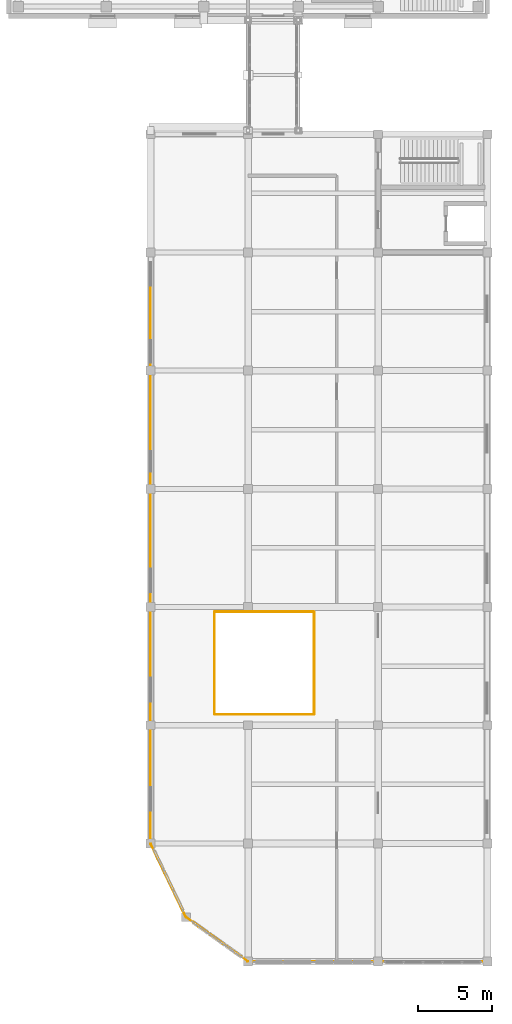
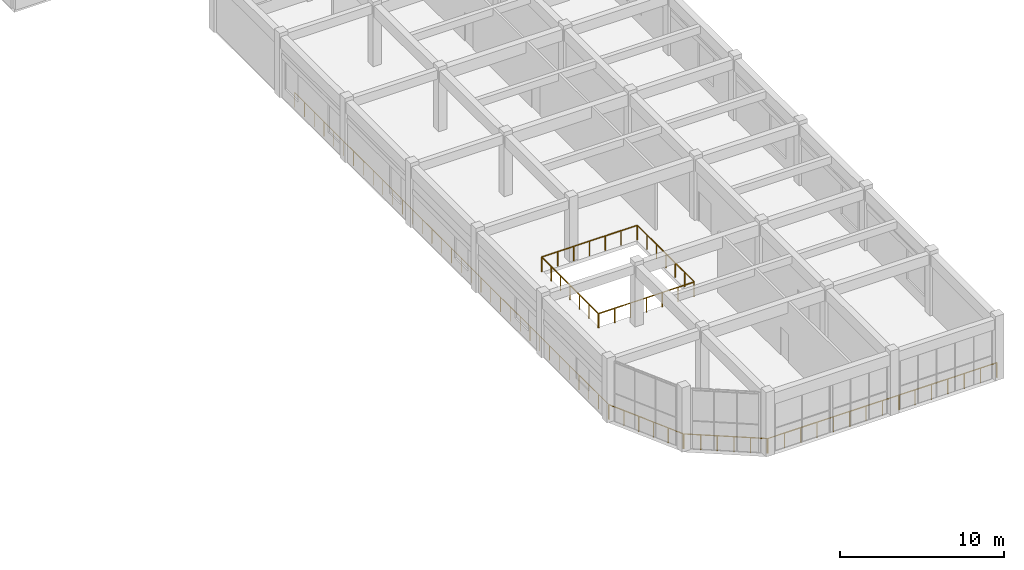
# One storey, part 60 of 64: 8 railings.
"""IFC4 building model written with IfcOpenShell, lengths in metres."""

from ifc_helpers import new_model, si_unit, direction, frame, origin, origin_2d, place, context, subcontext, project, spatial, circle, extrude, material, type_object, element, save


model = new_model("IFC4")

# Units and contexts
model_context = context("Model", 3, precision=1e-05, world=origin(), true_north=direction((0.0, 1.0)))
body_context = subcontext(model_context, "Body", "Model", "MODEL_VIEW")
ifc_project = project(units=[si_unit("LENGTHUNIT", "METRE"), si_unit("AREAUNIT", "SQUARE_METRE"), si_unit("VOLUMEUNIT", "CUBIC_METRE"), si_unit("PLANEANGLEUNIT", "RADIAN"), si_unit("MASSUNIT", "GRAM", prefix="KILO")], contexts=[model_context])

# Site, building, storey
site_placement = place(None, origin())
site = spatial("IfcSite", under=ifc_project, at=site_placement, CompositionType="ELEMENT")
building_placement = place(site_placement, origin())
building = spatial("IfcBuilding", under=site, at=building_placement, Name="Cinchona Park Media Centre", CompositionType="ELEMENT")
storey_placement = place(building_placement, frame((0.0, 0.0, 5.39990234375)))
storey = spatial("IfcBuildingStorey", under=building, at=storey_placement, Name="L01", CompositionType="ELEMENT", Elevation=5.39990234375)

# Railings
ifc_material = material(Name="Galvanised Painted Steel Balustrade", Category="steel")
railing_type = type_object("IfcRailingType", Name="RAILING-GR01", PredefinedType="BALUSTRADE", material=ifc_material)
railing_1_placement = place(storey_placement, frame((153.552001953125, 24.320068359375, 0.0)))
element("IfcRailing", 1, at=railing_1_placement, inside=storey, type_object=railing_type, Name="Atrium Balustrade GR01 VOID-L01-ATRIUM S1", PredefinedType="BALUSTRADE", context=body_context, shape_type="SweptSolid", body=[
    extrude(circle(Radius=0.02392578125, at=origin_2d()), frame((0.0, 0.0, 1.076171875), z_axis=(1.0, 0.0, 0.0), x_axis=(0.0, 1.0, 0.0)), (0.0, 0.0, 1.0), 6.696044921875),
    extrude(circle(Radius=0.02099609375, at=origin_2d()), origin(), (0.0, 0.0, 1.0), 1.052001953125),
    extrude(circle(Radius=0.02099609375, at=origin_2d()), frame((1.115966796875, 0.0, 0.0)), (0.0, 0.0, 1.0), 1.052001953125),
    extrude(circle(Radius=0.02099609375, at=origin_2d()), frame((2.23193359375, 0.0, 0.0)), (0.0, 0.0, 1.0), 1.052001953125),
    extrude(circle(Radius=0.02099609375, at=origin_2d()), frame((3.34814453125, 0.0, 0.0)), (0.0, 0.0, 1.0), 1.052001953125),
    extrude(circle(Radius=0.02099609375, at=origin_2d()), frame((4.464111328125, 0.0, 0.0)), (0.0, 0.0, 1.0), 1.052001953125),
    extrude(circle(Radius=0.02099609375, at=origin_2d()), frame((5.580078125, 0.0, 0.0)), (0.0, 0.0, 1.0), 1.052001953125),
    extrude(circle(Radius=0.02099609375, at=origin_2d()), frame((6.696044921875, 0.0, 0.0)), (0.0, 0.0, 1.0), 1.052001953125),
])
railing_2_placement = place(storey_placement, frame((160.280029296875, 24.35205078125, 0.0)))
element("IfcRailing", 2, at=railing_2_placement, inside=storey, type_object=railing_type, Name="Atrium Balustrade GR01 VOID-L01-ATRIUM S2", PredefinedType="BALUSTRADE", context=body_context, shape_type="SweptSolid", body=[
    extrude(circle(Radius=0.02392578125, at=origin_2d()), frame((0.0, 0.0, 1.076171875), z_axis=(0.0, 1.0, 0.0), x_axis=(-1.0, 0.0, 0.0)), (0.0, 0.0, 1.0), 6.89599609375),
    extrude(circle(Radius=0.02099609375, at=origin_2d()), origin(), (0.0, 0.0, 1.0), 1.052001953125),
    extrude(circle(Radius=0.02099609375, at=origin_2d()), frame((0.0, 1.1494140625, 0.0)), (0.0, 0.0, 1.0), 1.052001953125),
    extrude(circle(Radius=0.02099609375, at=origin_2d()), frame((0.0, 2.298583984375, 0.0)), (0.0, 0.0, 1.0), 1.052001953125),
    extrude(circle(Radius=0.02099609375, at=origin_2d()), frame((0.0, 3.447998046875, 0.0)), (0.0, 0.0, 1.0), 1.052001953125),
    extrude(circle(Radius=0.02099609375, at=origin_2d()), frame((0.0, 4.597412109375, 0.0)), (0.0, 0.0, 1.0), 1.052001953125),
    extrude(circle(Radius=0.02099609375, at=origin_2d()), frame((0.0, 5.74658203125, 0.0)), (0.0, 0.0, 1.0), 1.052001953125),
    extrude(circle(Radius=0.02099609375, at=origin_2d()), frame((0.0, 6.89599609375, 0.0)), (0.0, 0.0, 1.0), 1.052001953125),
])
railing_3_placement = place(storey_placement, frame((160.248046875, 31.280029296875, 0.0)))
element("IfcRailing", 3, at=railing_3_placement, inside=storey, type_object=railing_type, Name="Atrium Balustrade GR01 VOID-L01-ATRIUM S3", PredefinedType="BALUSTRADE", context=body_context, shape_type="SweptSolid", body=[
    extrude(circle(Radius=0.02392578125, at=origin_2d()), frame((0.0, 0.0, 1.076171875), z_axis=(-1.0, 0.0, 0.0), x_axis=(0.0, -1.0, 0.0)), (0.0, 0.0, 1.0), 6.696044921875),
    extrude(circle(Radius=0.02099609375, at=origin_2d()), origin(), (0.0, 0.0, 1.0), 1.052001953125),
    extrude(circle(Radius=0.02099609375, at=origin_2d()), frame((-1.115966796875, 0.0, 0.0)), (0.0, 0.0, 1.0), 1.052001953125),
    extrude(circle(Radius=0.02099609375, at=origin_2d()), frame((-2.23193359375, 0.0, 0.0)), (0.0, 0.0, 1.0), 1.052001953125),
    extrude(circle(Radius=0.02099609375, at=origin_2d()), frame((-3.34814453125, 0.0, 0.0)), (0.0, 0.0, 1.0), 1.052001953125),
    extrude(circle(Radius=0.02099609375, at=origin_2d()), frame((-4.464111328125, 0.0, 0.0)), (0.0, 0.0, 1.0), 1.052001953125),
    extrude(circle(Radius=0.02099609375, at=origin_2d()), frame((-5.580078125, 0.0, 0.0)), (0.0, 0.0, 1.0), 1.052001953125),
    extrude(circle(Radius=0.02099609375, at=origin_2d()), frame((-6.696044921875, 0.0, 0.0)), (0.0, 0.0, 1.0), 1.052001953125),
])
railing_4_placement = place(storey_placement, frame((153.52001953125, 31.248046875, 0.0)))
element("IfcRailing", 4, at=railing_4_placement, inside=storey, type_object=railing_type, Name="Atrium Balustrade GR01 VOID-L01-ATRIUM S4", PredefinedType="BALUSTRADE", context=body_context, shape_type="SweptSolid", body=[
    extrude(circle(Radius=0.02392578125, at=origin_2d()), frame((0.0, 0.0, 1.076171875), z_axis=(0.0, -1.0, 0.0), x_axis=(1.0, 0.0, 0.0)), (0.0, 0.0, 1.0), 6.89599609375),
    extrude(circle(Radius=0.02099609375, at=origin_2d()), origin(), (0.0, 0.0, 1.0), 1.052001953125),
    extrude(circle(Radius=0.02099609375, at=origin_2d()), frame((0.0, -1.1494140625, 0.0)), (0.0, 0.0, 1.0), 1.052001953125),
    extrude(circle(Radius=0.02099609375, at=origin_2d()), frame((0.0, -2.298583984375, 0.0)), (0.0, 0.0, 1.0), 1.052001953125),
    extrude(circle(Radius=0.02099609375, at=origin_2d()), frame((0.0, -3.447998046875, 0.0)), (0.0, 0.0, 1.0), 1.052001953125),
    extrude(circle(Radius=0.02099609375, at=origin_2d()), frame((0.0, -4.597412109375, 0.0)), (0.0, 0.0, 1.0), 1.052001953125),
    extrude(circle(Radius=0.02099609375, at=origin_2d()), frame((0.0, -5.74658203125, 0.0)), (0.0, 0.0, 1.0), 1.052001953125),
    extrude(circle(Radius=0.02099609375, at=origin_2d()), frame((0.0, -6.89599609375, 0.0)), (0.0, 0.0, 1.0), 1.052001953125),
])
railing_5_placement = place(storey_placement, frame((149.199951171875, 53.968017578125, 0.0)))
element("IfcRailing", 5, at=railing_5_placement, inside=storey, type_object=railing_type, Name="Glazed Prow Perimeter Guardrail GR01 L01 S1", PredefinedType="BALUSTRADE", context=body_context, shape_type="SweptSolid", body=[
    extrude(circle(Radius=0.02392578125, at=origin_2d()), frame((0.0, 0.0, 1.09619140625), z_axis=(0.0, -1.0, 0.0), x_axis=(1.0, 0.0, 0.0)), (0.0, 0.0, 1.0), 38.3359375),
    extrude(circle(Radius=0.02099609375, at=origin_2d()), origin(), (0.0, 0.0, 1.0), 1.072021484375),
    extrude(circle(Radius=0.02099609375, at=origin_2d()), frame((0.0, -1.197998046875, 0.0)), (0.0, 0.0, 1.0), 1.072021484375),
    extrude(circle(Radius=0.02099609375, at=origin_2d()), frame((0.0, -2.39599609375, 0.0)), (0.0, 0.0, 1.0), 1.072021484375),
    extrude(circle(Radius=0.02099609375, at=origin_2d()), frame((0.0, -3.593994140625, 0.0)), (0.0, 0.0, 1.0), 1.072021484375),
    extrude(circle(Radius=0.02099609375, at=origin_2d()), frame((0.0, -4.7919921875, 0.0)), (0.0, 0.0, 1.0), 1.072021484375),
    extrude(circle(Radius=0.02099609375, at=origin_2d()), frame((0.0, -5.989990234375, 0.0)), (0.0, 0.0, 1.0), 1.072021484375),
    extrude(circle(Radius=0.02099609375, at=origin_2d()), frame((0.0, -7.18798828125, 0.0)), (0.0, 0.0, 1.0), 1.072021484375),
    extrude(circle(Radius=0.02099609375, at=origin_2d()), frame((0.0, -8.385986328125, 0.0)), (0.0, 0.0, 1.0), 1.072021484375),
    extrude(circle(Radius=0.02099609375, at=origin_2d()), frame((0.0, -9.583984375, 0.0)), (0.0, 0.0, 1.0), 1.072021484375),
    extrude(circle(Radius=0.02099609375, at=origin_2d()), frame((0.0, -10.781982421875, 0.0)), (0.0, 0.0, 1.0), 1.072021484375),
    extrude(circle(Radius=0.02099609375, at=origin_2d()), frame((0.0, -11.97998046875, 0.0)), (0.0, 0.0, 1.0), 1.072021484375),
    extrude(circle(Radius=0.02099609375, at=origin_2d()), frame((0.0, -13.177978515625, 0.0)), (0.0, 0.0, 1.0), 1.072021484375),
    extrude(circle(Radius=0.02099609375, at=origin_2d()), frame((0.0, -14.3759765625, 0.0)), (0.0, 0.0, 1.0), 1.072021484375),
    extrude(circle(Radius=0.02099609375, at=origin_2d()), frame((0.0, -15.573974609375, 0.0)), (0.0, 0.0, 1.0), 1.072021484375),
    extrude(circle(Radius=0.02099609375, at=origin_2d()), frame((0.0, -16.77197265625, 0.0)), (0.0, 0.0, 1.0), 1.072021484375),
    extrude(circle(Radius=0.02099609375, at=origin_2d()), frame((0.0, -17.969970703125, 0.0)), (0.0, 0.0, 1.0), 1.072021484375),
    extrude(circle(Radius=0.02099609375, at=origin_2d()), frame((0.0, -19.16796875, 0.0)), (0.0, 0.0, 1.0), 1.072021484375),
    extrude(circle(Radius=0.02099609375, at=origin_2d()), frame((0.0, -20.365966796875, 0.0)), (0.0, 0.0, 1.0), 1.072021484375),
    extrude(circle(Radius=0.02099609375, at=origin_2d()), frame((0.0, -21.56396484375, 0.0)), (0.0, 0.0, 1.0), 1.072021484375),
    extrude(circle(Radius=0.02099609375, at=origin_2d()), frame((0.0, -22.761962890625, 0.0)), (0.0, 0.0, 1.0), 1.072021484375),
    extrude(circle(Radius=0.02099609375, at=origin_2d()), frame((0.0, -23.9599609375, 0.0)), (0.0, 0.0, 1.0), 1.072021484375),
    extrude(circle(Radius=0.02099609375, at=origin_2d()), frame((0.0, -25.157958984375, 0.0)), (0.0, 0.0, 1.0), 1.072021484375),
    extrude(circle(Radius=0.02099609375, at=origin_2d()), frame((0.0, -26.35595703125, 0.0)), (0.0, 0.0, 1.0), 1.072021484375),
    extrude(circle(Radius=0.02099609375, at=origin_2d()), frame((0.0, -27.553955078125, 0.0)), (0.0, 0.0, 1.0), 1.072021484375),
    extrude(circle(Radius=0.02099609375, at=origin_2d()), frame((0.0, -28.751953125, 0.0)), (0.0, 0.0, 1.0), 1.072021484375),
    extrude(circle(Radius=0.02099609375, at=origin_2d()), frame((0.0, -29.949951171875, 0.0)), (0.0, 0.0, 1.0), 1.072021484375),
    extrude(circle(Radius=0.02099609375, at=origin_2d()), frame((0.0, -31.14794921875, 0.0)), (0.0, 0.0, 1.0), 1.072021484375),
    extrude(circle(Radius=0.02099609375, at=origin_2d()), frame((0.0, -32.345947265625, 0.0)), (0.0, 0.0, 1.0), 1.072021484375),
    extrude(circle(Radius=0.02099609375, at=origin_2d()), frame((0.0, -33.5439453125, 0.0)), (0.0, 0.0, 1.0), 1.072021484375),
    extrude(circle(Radius=0.02099609375, at=origin_2d()), frame((0.0, -34.741943359375, 0.0)), (0.0, 0.0, 1.0), 1.072021484375),
    extrude(circle(Radius=0.02099609375, at=origin_2d()), frame((0.0, -35.93994140625, 0.0)), (0.0, 0.0, 1.0), 1.072021484375),
    extrude(circle(Radius=0.02099609375, at=origin_2d()), frame((0.0, -37.137939453125, 0.0)), (0.0, 0.0, 1.0), 1.072021484375),
    extrude(circle(Radius=0.02099609375, at=origin_2d()), frame((0.0, -38.3359375, 0.0)), (0.0, 0.0, 1.0), 1.072021484375),
])
railing_6_placement = place(storey_placement, frame((149.214111328125, 15.571044921875, 0.0)))
element("IfcRailing", 6, at=railing_6_placement, inside=storey, type_object=railing_type, Name="Glazed Prow Perimeter Guardrail GR01 L01 S2", PredefinedType="BALUSTRADE", context=body_context, shape_type="SweptSolid", body=[
    extrude(circle(Radius=0.02392578125, at=origin_2d()), frame((0.0, 0.0, 1.09619140625), z_axis=(0.432671704006, -0.901551549582, 0.0), x_axis=(0.901551549582, 0.432671704006, 0.0)), (0.0, 0.0, 1.0), 5.48193359375),
    extrude(circle(Radius=0.02099609375, at=origin_2d()), origin(), (0.0, 0.0, 1.0), 1.072021484375),
    extrude(circle(Radius=0.02099609375, at=origin_2d()), frame((0.474365234375, -0.988525390625, 0.0)), (0.0, 0.0, 1.0), 1.072021484375),
    extrude(circle(Radius=0.02099609375, at=origin_2d()), frame((0.94873046875, -1.976806640625, 0.0)), (0.0, 0.0, 1.0), 1.072021484375),
    extrude(circle(Radius=0.02099609375, at=origin_2d()), frame((1.423095703125, -2.96533203125, 0.0)), (0.0, 0.0, 1.0), 1.072021484375),
    extrude(circle(Radius=0.02099609375, at=origin_2d()), frame((1.8974609375, -3.95361328125, 0.0)), (0.0, 0.0, 1.0), 1.072021484375),
    extrude(circle(Radius=0.02099609375, at=origin_2d()), frame((2.371826171875, -4.942138671875, 0.0)), (0.0, 0.0, 1.0), 1.072021484375),
])
railing_7_placement = place(storey_placement, frame((151.6259765625, 10.5810546875, 0.0)))
element("IfcRailing", 7, at=railing_7_placement, inside=storey, type_object=railing_type, Name="Glazed Prow Perimeter Guardrail GR01 L01 S3", PredefinedType="BALUSTRADE", context=body_context, shape_type="SweptSolid", body=[
    extrude(circle(Radius=0.02392578125, at=origin_2d()), frame((0.0, 0.0, 1.09619140625), z_axis=(0.813794957928, -0.581152102681, 0.0), x_axis=(0.581152102681, 0.813794957928, 0.0)), (0.0, 0.0, 1.0), 5.096923828125),
    extrude(circle(Radius=0.02099609375, at=origin_2d()), origin(), (0.0, 0.0, 1.0), 1.072021484375),
    extrude(circle(Radius=0.02099609375, at=origin_2d()), frame((0.82958984375, -0.592529296875, 0.0)), (0.0, 0.0, 1.0), 1.072021484375),
    extrude(circle(Radius=0.02099609375, at=origin_2d()), frame((1.6591796875, -1.184814453125, 0.0)), (0.0, 0.0, 1.0), 1.072021484375),
    extrude(circle(Radius=0.02099609375, at=origin_2d()), frame((2.48876953125, -1.77734375, 0.0)), (0.0, 0.0, 1.0), 1.072021484375),
    extrude(circle(Radius=0.02099609375, at=origin_2d()), frame((3.318359375, -2.36962890625, 0.0)), (0.0, 0.0, 1.0), 1.072021484375),
    extrude(circle(Radius=0.02099609375, at=origin_2d()), frame((4.14794921875, -2.962158203125, 0.0)), (0.0, 0.0, 1.0), 1.072021484375),
])
railing_8_placement = place(storey_placement, frame((155.83203125, 7.60009765625, 0.0)))
element("IfcRailing", 8, at=railing_8_placement, inside=storey, type_object=railing_type, Name="Glazed Prow Perimeter Guardrail GR01 L01 S4", PredefinedType="BALUSTRADE", context=body_context, shape_type="SweptSolid", body=[
    extrude(circle(Radius=0.02392578125, at=origin_2d()), frame((0.0, 0.0, 1.09619140625), z_axis=(1.0, 0.0, 0.0), x_axis=(0.0, 1.0, 0.0)), (0.0, 0.0, 1.0), 16.135986328125),
    extrude(circle(Radius=0.02099609375, at=origin_2d()), origin(), (0.0, 0.0, 1.0), 1.072021484375),
    extrude(circle(Radius=0.02099609375, at=origin_2d()), frame((1.152587890625, 0.0, 0.0)), (0.0, 0.0, 1.0), 1.072021484375),
    extrude(circle(Radius=0.02099609375, at=origin_2d()), frame((2.30517578125, 0.0, 0.0)), (0.0, 0.0, 1.0), 1.072021484375),
    extrude(circle(Radius=0.02099609375, at=origin_2d()), frame((3.457763671875, 0.0, 0.0)), (0.0, 0.0, 1.0), 1.072021484375),
    extrude(circle(Radius=0.02099609375, at=origin_2d()), frame((4.6103515625, 0.0, 0.0)), (0.0, 0.0, 1.0), 1.072021484375),
    extrude(circle(Radius=0.02099609375, at=origin_2d()), frame((5.762939453125, 0.0, 0.0)), (0.0, 0.0, 1.0), 1.072021484375),
    extrude(circle(Radius=0.02099609375, at=origin_2d()), frame((6.91552734375, 0.0, 0.0)), (0.0, 0.0, 1.0), 1.072021484375),
    extrude(circle(Radius=0.02099609375, at=origin_2d()), frame((8.06787109375, 0.0, 0.0)), (0.0, 0.0, 1.0), 1.072021484375),
    extrude(circle(Radius=0.02099609375, at=origin_2d()), frame((9.220458984375, 0.0, 0.0)), (0.0, 0.0, 1.0), 1.072021484375),
    extrude(circle(Radius=0.02099609375, at=origin_2d()), frame((10.373046875, 0.0, 0.0)), (0.0, 0.0, 1.0), 1.072021484375),
    extrude(circle(Radius=0.02099609375, at=origin_2d()), frame((11.525634765625, 0.0, 0.0)), (0.0, 0.0, 1.0), 1.072021484375),
    extrude(circle(Radius=0.02099609375, at=origin_2d()), frame((12.67822265625, 0.0, 0.0)), (0.0, 0.0, 1.0), 1.072021484375),
    extrude(circle(Radius=0.02099609375, at=origin_2d()), frame((13.830810546875, 0.0, 0.0)), (0.0, 0.0, 1.0), 1.072021484375),
    extrude(circle(Radius=0.02099609375, at=origin_2d()), frame((14.9833984375, 0.0, 0.0)), (0.0, 0.0, 1.0), 1.072021484375),
    extrude(circle(Radius=0.02099609375, at=origin_2d()), frame((16.135986328125, 0.0, 0.0)), (0.0, 0.0, 1.0), 1.072021484375),
])

save(model, "model.ifc")
